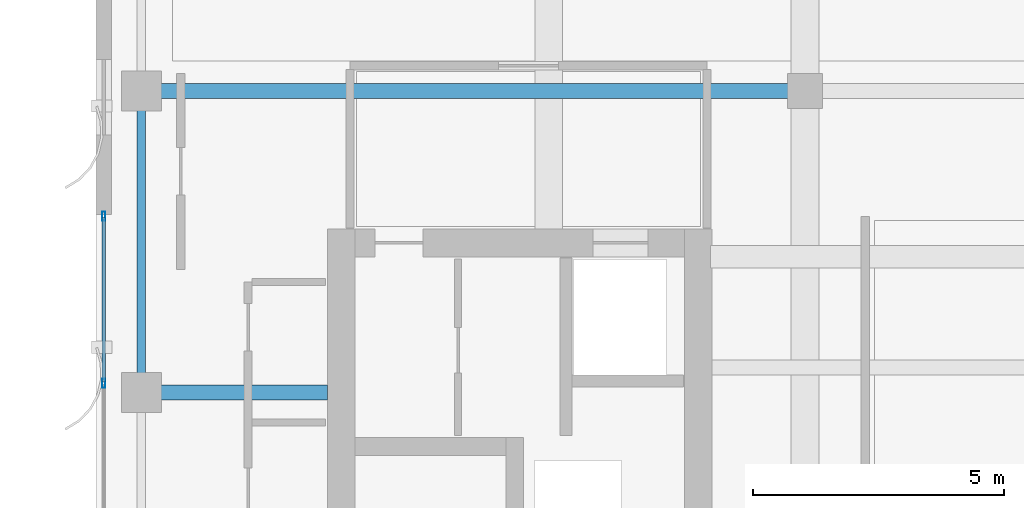
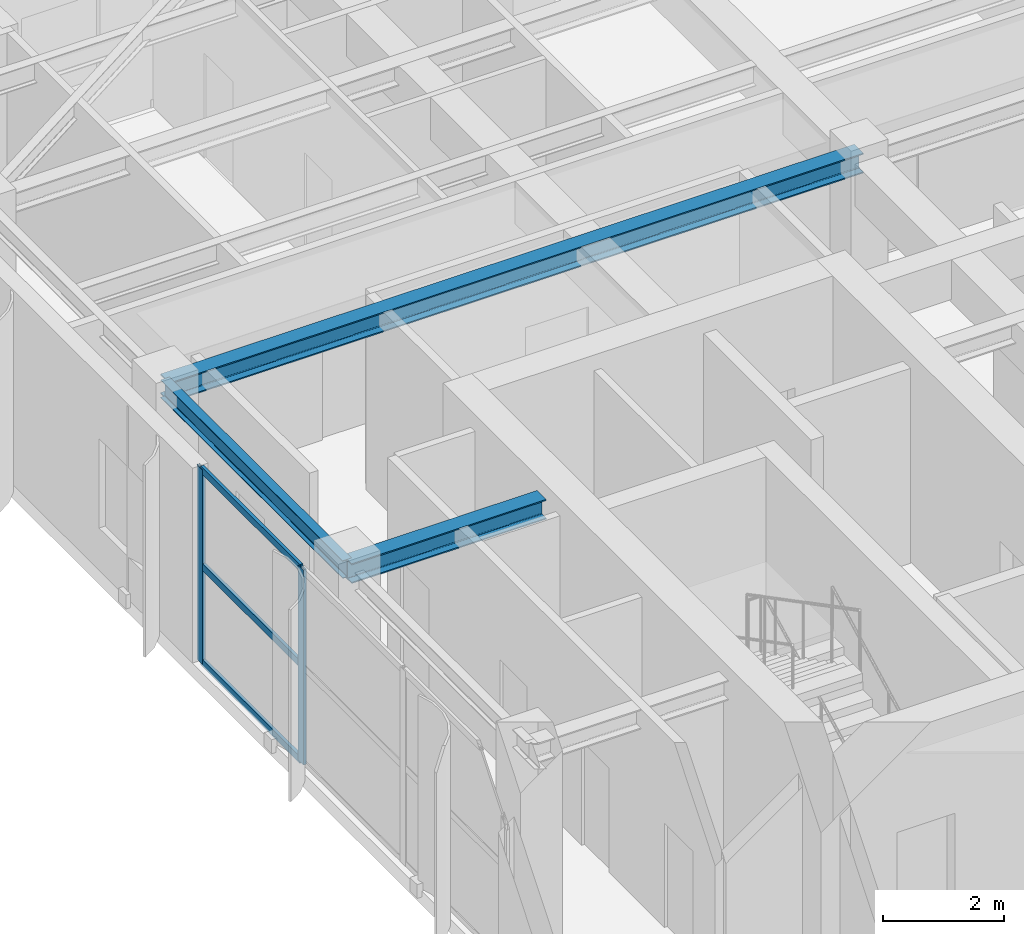
# One storey, part 4 of 19: 5 members, 3 beams, 1 element without a shape of its own.
"""IFC4 building model written with IfcOpenShell, lengths in metres."""

from ifc_helpers import new_model, si_unit, direction, frame, origin, origin_2d, place, context, subcontext, project, spatial, hollow_rectangle, i_section, extrude, source, transform, mapped, material, layer, layer_set, material_profile, profile_set, type_object, element, aggregate, save


model = new_model("IFC4")

# Units and contexts
model_context = context("Model", 3, precision=1e-05, world=origin(), true_north=direction((0.0, 1.0)))
body_context = subcontext(model_context, "Body", "Model", "MODEL_VIEW")
ifc_project = project(units=[si_unit("LENGTHUNIT", "METRE"), si_unit("AREAUNIT", "SQUARE_METRE"), si_unit("VOLUMEUNIT", "CUBIC_METRE"), si_unit("PLANEANGLEUNIT", "RADIAN"), si_unit("MASSUNIT", "GRAM", prefix="KILO")], contexts=[model_context])

# Site, building, storey
site_placement = place(None, origin())
site = spatial("IfcSite", under=ifc_project, at=site_placement, CompositionType="ELEMENT")
building_placement = place(site_placement, origin())
building = spatial("IfcBuilding", under=site, at=building_placement, Name="Khoralis Quay Care Tower", CompositionType="ELEMENT")
storey_placement = place(building_placement, frame((0.0, 0.0, 285.300048828125)))
storey = spatial("IfcBuildingStorey", under=building, at=storey_placement, Name="L75", CompositionType="ELEMENT", Elevation=285.300048828125)

# Beams
ifc_material_1 = material(Name="Steel S355", Category="steel")
ifc_material_profile_1 = material_profile(ifc_material_1, i_section(OverallWidth=0.169921875, OverallDepth=0.360107421875, WebThickness=0.008056640625, FlangeThickness=0.0126953125, FilletRadius=0.01806640625, at=origin_2d()), Name="Steel S355")
ifc_profile_set_1 = profile_set([ifc_material_profile_1], Name="Steel S355")
beam_type_1 = type_object("IfcBeamType", Name="BM-IPE360", PredefinedType="SPANDREL", material=ifc_profile_set_1)
shared_shape_1 = source(origin(), body_context, "Body", "SweptSolid", [
    extrude(i_section(OverallWidth=0.169921875, OverallDepth=0.360107421875, WebThickness=0.008056640625, FlangeThickness=0.0126953125, FilletRadius=0.01806640625, at=origin_2d()), origin(), (0.0, 0.0, 1.0), 6.0),
])
beam_1_placement = place(storey_placement, frame((3.89990234375, 24.0, 3.739990234375), z_axis=(0.0, 1.0, 0.0), x_axis=(-1.0, 0.0, 0.0)))
element("IfcBeam", 1, at=beam_1_placement, inside=storey, type_object=beam_type_1, Name="BM-TSP-L75-11", PredefinedType="SPANDREL", context=body_context, shape_type="MappedRepresentation", body=[
    mapped(shared_shape_1, transform((0.0, 0.0, 0.0), scale=1.0)),
])
ifc_material_profile_2 = material_profile(ifc_material_1, i_section(OverallWidth=0.300048828125, OverallDepth=0.39990234375, WebThickness=0.013427734375, FlangeThickness=0.02392578125, FilletRadius=0.027099609375, at=origin_2d()), Name="Steel S355")
ifc_profile_set_2 = profile_set([ifc_material_profile_2], Name="Steel S355")
beam_type_2 = type_object("IfcBeamType", Name="BM-HEB400", PredefinedType="BEAM", material=ifc_profile_set_2)
shared_shape_2 = source(origin(), body_context, "Body", "SweptSolid", [
    extrude(i_section(OverallWidth=0.300048828125, OverallDepth=0.39990234375, WebThickness=0.013427734375, FlangeThickness=0.02392578125, FilletRadius=0.027099609375, at=origin_2d()), origin(), (0.0, 0.0, 1.0), 13.2001953125),
])
beam_2_placement = place(storey_placement, frame((3.89990234375, 30.0, 3.719970703125), z_axis=(1.0, 0.0, 0.0), x_axis=(0.0, 1.0, 0.0)))
element("IfcBeam", 2, at=beam_2_placement, inside=storey, type_object=beam_type_2, Name="BM-TGXW-L75-300", PredefinedType="BEAM", context=body_context, shape_type="MappedRepresentation", body=[
    mapped(shared_shape_2, transform((0.0, 0.0, 0.0), scale=1.0)),
])
shared_shape_3 = source(origin(), body_context, "Body", "SweptSolid", [
    extrude(i_section(OverallWidth=0.300048828125, OverallDepth=0.39990234375, WebThickness=0.013427734375, FlangeThickness=0.02392578125, FilletRadius=0.027099609375, at=origin_2d()), origin(), (0.0, 0.0, 1.0), 3.7021484375),
])
beam_3_placement = place(storey_placement, frame((3.89990234375, 24.0, 3.719970703125), z_axis=(1.0, 0.0, 0.0), x_axis=(0.0, 1.0, 0.0)))
element("IfcBeam", 3, at=beam_3_placement, inside=storey, type_object=beam_type_2, Name="BM-TGXW-L75-240", PredefinedType="BEAM", context=body_context, shape_type="MappedRepresentation", body=[
    mapped(shared_shape_3, transform((0.0, 0.0, 0.0), scale=1.0)),
])

# Curtain wall, members
ifc_material_2 = material(Name="Pale anodised aluminium", Category="aluminium")
ifc_layer = layer(ifc_material_2, 0.159912109375)
ifc_layer_set = layer_set([ifc_layer], Name="Pale anodised aluminium")
curtain_wall_type = type_object("IfcCurtainWallType", Name="CW-SYS-Z3", PredefinedType="NOTDEFINED", material=ifc_layer_set)
curtain_wall_placement = place(storey_placement, origin())
curtain_wall = element("IfcCurtainWall", 4, at=curtain_wall_placement, inside=storey, type_object=curtain_wall_type, Name="L75 Unitised Curtain Wall CW-L75-P1-E15", PredefinedType="NOTDEFINED")
ifc_material_profile_3 = material_profile(ifc_material_2, hollow_rectangle(XDim=0.06005859375, YDim=0.139892578125, WallThickness=0.00390625, at=origin_2d()), Name="Pale anodised aluminium")
ifc_profile_set_3 = profile_set([ifc_material_profile_3], Name="Pale anodised aluminium")
member_type_1 = type_object("IfcMemberType", Name="CW-TRN-140", PredefinedType="USERDEFINED", material=ifc_profile_set_3)
shared_shape_4 = source(origin(), body_context, "Body", "SweptSolid", [
    extrude(hollow_rectangle(XDim=0.06005859375, YDim=0.139892578125, WallThickness=0.00390625, at=origin_2d()), origin(), (0.0, 0.0, 1.0), 3.27001953125),
])
member_1_placement = place(storey_placement, frame((3.14990234375, 27.47998046875, 0.030029296875), z_axis=(0.0, -1.0, 0.0), x_axis=(1.0, 0.0, 0.0)))
member_1 = element("IfcMember", 5, at=member_1_placement, type_object=member_type_1, Name="CW3 transom 1.1", ObjectType="TRANSOM", PredefinedType="USERDEFINED", context=body_context, shape_type="MappedRepresentation", body=[
    mapped(shared_shape_4, transform((0.0, 0.0, 0.0), scale=1.0)),
])
member_2_placement = place(storey_placement, frame((3.14990234375, 27.47998046875, 1.9599609375), z_axis=(0.0, -1.0, 0.0), x_axis=(1.0, 0.0, 0.0)))
member_2 = element("IfcMember", 6, at=member_2_placement, type_object=member_type_1, Name="CW3 transom 1.2", ObjectType="TRANSOM", PredefinedType="USERDEFINED", context=body_context, shape_type="MappedRepresentation", body=[
    mapped(shared_shape_4, transform((0.0, 0.0, 0.0), scale=1.0)),
])
member_3_placement = place(storey_placement, frame((3.14990234375, 27.47998046875, 3.889892578125), z_axis=(0.0, -1.0, 0.0), x_axis=(1.0, 0.0, 0.0)))
member_3 = element("IfcMember", 7, at=member_3_placement, type_object=member_type_1, Name="CW3 transom 1.3", ObjectType="TRANSOM", PredefinedType="USERDEFINED", context=body_context, shape_type="MappedRepresentation", body=[
    mapped(shared_shape_4, transform((0.0, 0.0, 0.0), scale=1.0)),
])
ifc_material_profile_4 = material_profile(ifc_material_2, hollow_rectangle(XDim=0.06494140625, YDim=0.179931640625, WallThickness=0.00390625, at=origin_2d()), Name="Pale anodised aluminium")
ifc_profile_set_4 = profile_set([ifc_material_profile_4], Name="Pale anodised aluminium")
member_type_2 = type_object("IfcMemberType", Name="CW-MUL-180", PredefinedType="MULLION", material=ifc_profile_set_4)
shared_shape_5 = source(origin(), body_context, "Body", "SweptSolid", [
    extrude(hollow_rectangle(XDim=0.06494140625, YDim=0.179931640625, WallThickness=0.00390625, at=origin_2d()), origin(), (0.0, 0.0, 1.0), 3.919921875),
])
member_4_placement = place(storey_placement, frame((3.14990234375, 27.510009765625, 0.0), z_axis=(0.0, 0.0, 1.0), x_axis=(1.0, 0.0, 0.0)))
member_4 = element("IfcMember", 8, at=member_4_placement, type_object=member_type_2, Name="CW3 mullion 1", PredefinedType="MULLION", context=body_context, shape_type="MappedRepresentation", body=[
    mapped(shared_shape_5, transform((0.0, 0.0, 0.0), scale=1.0)),
])
member_5_placement = place(storey_placement, frame((3.14990234375, 24.179931640625, 0.0), z_axis=(0.0, 0.0, 1.0), x_axis=(1.0, 0.0, 0.0)))
member_5 = element("IfcMember", 9, at=member_5_placement, type_object=member_type_2, Name="CW3 mullion 2", PredefinedType="MULLION", context=body_context, shape_type="MappedRepresentation", body=[
    mapped(shared_shape_5, transform((0.0, 0.0, 0.0), scale=1.0)),
])
aggregate(curtain_wall, [member_4, member_5, member_1, member_2, member_3])

save(model, "model.ifc")
